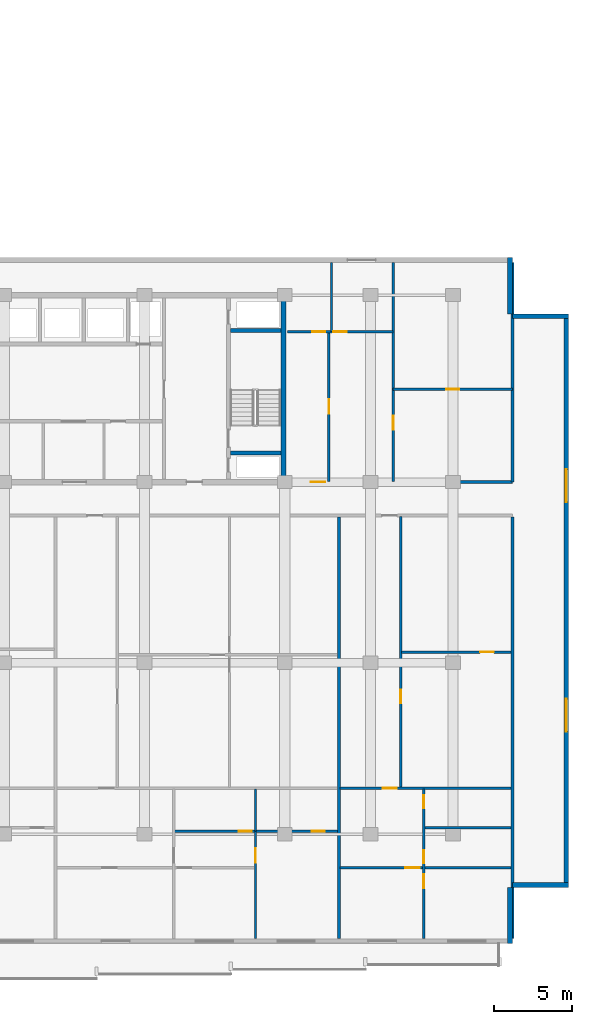
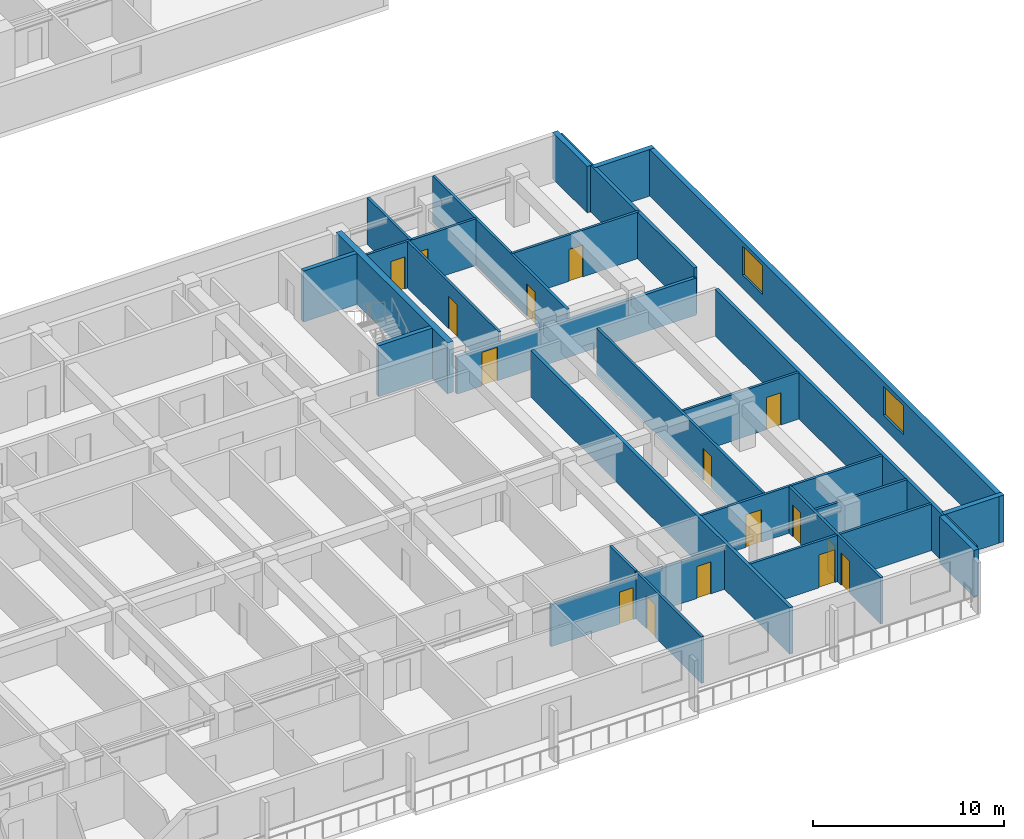
# One storey, part 9 of 24: 26 walls, 16 doors, 2 windows, 18 openings.
"""IFC4 building model written with IfcOpenShell, lengths in metres."""

from ifc_helpers import new_model, si_unit, direction, frame, frame_2d, origin, place, context, subcontext, project, spatial, rectangle, extrude, material, layer, layer_set, type_object, element, fill, save


model = new_model("IFC4")

# Units and contexts
model_context = context("Model", 3, precision=1e-05, world=origin(), true_north=direction((0.0, 1.0)))
body_context = subcontext(model_context, "Body", "Model", "MODEL_VIEW")
ifc_project = project(units=[si_unit("LENGTHUNIT", "METRE"), si_unit("AREAUNIT", "SQUARE_METRE"), si_unit("VOLUMEUNIT", "CUBIC_METRE"), si_unit("PLANEANGLEUNIT", "RADIAN"), si_unit("MASSUNIT", "GRAM", prefix="KILO")], contexts=[model_context])

# Site, building, storey
site_placement = place(None, origin())
site = spatial("IfcSite", under=ifc_project, at=site_placement, CompositionType="ELEMENT")
building_placement = place(site_placement, origin())
building = spatial("IfcBuilding", under=site, at=building_placement, Name="Korimba Cascade Residences", CompositionType="ELEMENT")
storey_placement = place(building_placement, frame((0.0, 0.0, 43.5)))
storey = spatial("IfcBuildingStorey", under=building, at=storey_placement, Name="L11", CompositionType="ELEMENT", Elevation=43.5)

# Walls
ifc_material_1 = material(Name="Precast concrete C40/50", Category="concrete")
ifc_layer_1 = layer(ifc_material_1, 0.300048828125)
ifc_layer_set_1 = layer_set([ifc_layer_1], Name="Precast concrete C40/50")
wall_type_1 = type_object("IfcWallType", Name="EW-STONE-300", PredefinedType="STANDARD", material=ifc_layer_set_1)
wall_1_placement = place(storey_placement, frame((132.550048828125, -11.199951171875, 0.0), z_axis=(0.0, 0.0, 1.0), x_axis=(0.0, 1.0, 0.0)))
element("IfcWall", 1, at=wall_1_placement, inside=storey, type_object=wall_type_1, Name="L11 T2 Perimeter Stone Wall E01", PredefinedType="STANDARD", context=body_context, shape_type="SweptSolid", body=[
    extrude(rectangle(XDim=3.599853515625, YDim=0.300048828125, at=frame_2d((1.7998046875, 0.0))), origin(), (0.0, 0.0, 1.0), 2.969970703125),
])
wall_2_placement = place(storey_placement, frame((132.699951171875, -7.449951171875, 0.0), z_axis=(0.0, 0.0, 1.0), x_axis=(1.0, 0.0, 0.0)))
element("IfcWall", 2, at=wall_2_placement, inside=storey, type_object=wall_type_1, Name="L11 T2 Perimeter Stone Wall E02", PredefinedType="STANDARD", context=body_context, shape_type="SweptSolid", body=[
    extrude(rectangle(XDim=3.60009765625, YDim=0.300048828125, at=frame_2d((1.800048828125, 0.0))), origin(), (0.0, 0.0, 1.0), 2.969970703125),
])

# Wall, openings, windows
wall_3_placement = place(storey_placement, frame((136.14990234375, -7.60009765625, 0.0), z_axis=(0.0, 0.0, 1.0), x_axis=(0.0, 1.0, 0.0)))
wall_3 = element("IfcWall", 3, at=wall_3_placement, inside=storey, type_object=wall_type_1, Name="L11 T2 Perimeter Stone Wall E03", PredefinedType="STANDARD", context=body_context, shape_type="SweptSolid", body=[
    extrude(rectangle(XDim=36.800048828125, YDim=0.300048828125, at=frame_2d((18.39990234375, 0.0))), origin(), (0.0, 0.0, 1.0), 2.969970703125),
])
opening_1_placement = place(wall_3_placement, frame((9.989990234375, 0.0, 0.85009765625)))
opening_1 = element("IfcOpeningElement", 4, at=opening_1_placement, cuts=wall_3, Name="Opening W-03", PredefinedType="OPENING", context=body_context, shape_type="SweptSolid", body=[
    extrude(rectangle(XDim=2.10009765625, YDim=1.85009765625, at=frame_2d((1.050048828125, 0.925048828125))), frame((0.0, 0.16015625, 0.0), z_axis=(0.0, -1.0, 0.0), x_axis=(1.0, 0.0, 0.0)), (0.0, 0.0, 1.0), 0.320068359375),
])
opening_2_placement = place(wall_3_placement, frame((24.7099609375, 0.0, 0.85009765625)))
opening_2 = element("IfcOpeningElement", 5, at=opening_2_placement, cuts=wall_3, Name="Opening W-03", PredefinedType="OPENING", context=body_context, shape_type="SweptSolid", body=[
    extrude(rectangle(XDim=2.10009765625, YDim=1.85009765625, at=frame_2d((1.050048828125, 0.925048828125))), frame((0.0, 0.16015625, 0.0), z_axis=(0.0, -1.0, 0.0), x_axis=(1.0, 0.0, 0.0)), (0.0, 0.0, 1.0), 0.320068359375),
])
ifc_material_2 = material(Name="Double-Glazed Aluminium Window", Category="aluminium")
window_type = type_object("IfcWindowType", Name="WIN-CRN-2100", PartitioningType="DOUBLE_PANEL_HORIZONTAL", PredefinedType="WINDOW", material=ifc_material_2)
window_1_placement = place(opening_1_placement, origin())
window_1 = element("IfcWindow", 6, at=window_1_placement, inside=storey, type_object=window_type, Name="L11 T2 End View Window 3.1", OverallHeight=1.85009765625, OverallWidth=2.10009765625, PartitioningType="DOUBLE_PANEL_HORIZONTAL", PredefinedType="WINDOW", context=body_context, shape_type="SweptSolid", body=[
    extrude(rectangle(XDim=2.10009765625, YDim=1.85009765625, at=frame_2d((1.050048828125, 0.925048828125))), frame((0.0, 0.030029296875, 0.0), z_axis=(0.0, -1.0, 0.0), x_axis=(1.0, 0.0, 0.0)), (0.0, 0.0, 1.0), 0.06005859375),
])
fill(opening_1, window_1)
window_2_placement = place(opening_2_placement, origin())
window_2 = element("IfcWindow", 7, at=window_2_placement, inside=storey, type_object=window_type, Name="L11 T2 End View Window 3.2", OverallHeight=1.85009765625, OverallWidth=2.10009765625, PartitioningType="DOUBLE_PANEL_HORIZONTAL", PredefinedType="WINDOW", context=body_context, shape_type="SweptSolid", body=[
    extrude(rectangle(XDim=2.10009765625, YDim=1.85009765625, at=frame_2d((1.050048828125, 0.925048828125))), frame((0.0, 0.030029296875, 0.0), z_axis=(0.0, -1.0, 0.0), x_axis=(1.0, 0.0, 0.0)), (0.0, 0.0, 1.0), 0.06005859375),
])
fill(opening_2, window_2)

# Walls
for number, where, z_axis, x_axis, name in (
    (8, (136.300048828125, 29.050048828125, 0.0), (0.0, 0.0, 1.0), (-1.0, 0.0, 0.0), "L11 T2 Perimeter Stone Wall E04"),
    (9, (132.550048828125, 29.199951171875, 0.0), (0.0, 0.0, 1.0), (0.0, 1.0, 0.0), "L11 T2 Perimeter Stone Wall E05"),
):
    element("IfcWall", number, at=place(storey_placement, frame(where, z_axis=z_axis, x_axis=x_axis)), inside=storey, type_object=wall_type_1, Name=name, PredefinedType="STANDARD", context=body_context, shape_type="SweptSolid", body=[
        extrude(rectangle(XDim=3.60009765625, YDim=0.300048828125, at=frame_2d((1.800048828125, 0.0))), origin(), (0.0, 0.0, 1.0), 2.969970703125),
    ])
ifc_material_3 = material(Name="Concrete C65/80", Category="concrete")
ifc_layer_2 = layer(ifc_material_3, 0.35009765625)
ifc_layer_set_2 = layer_set([ifc_layer_2], Name="Concrete C65/80")
wall_type_2 = type_object("IfcWallType", Name="WAL-CORE-350", PredefinedType="SHEAR", material=ifc_layer_set_2)
wall_4_placement = place(storey_placement, frame((118.014892578125, 18.574951171875, 0.0), z_axis=(0.0, 0.0, 1.0), x_axis=(0.0, 1.0, 0.0)))
element("IfcWall", 10, at=wall_4_placement, inside=storey, type_object=wall_type_2, Name="L11 Core Shear Wall CW-L11-T2-E", PredefinedType="SHEAR", context=body_context, shape_type="SweptSolid", body=[
    extrude(rectangle(XDim=11.650146484375, YDim=0.35009765625, at=frame_2d((5.8251953125, 0.0))), origin(), (0.0, 0.0, 1.0), 3.25),
])
ifc_layer_3 = layer(ifc_material_1, 0.199951171875)
ifc_layer_set_3 = layer_set([ifc_layer_3], Name="Precast concrete C40/50")
wall_type_3 = type_object("IfcWallType", Name="WAL-IT-200", PredefinedType="PARTITIONING", material=ifc_layer_set_3)
wall_5_placement = place(storey_placement, frame((132.699951171875, 18.39990234375, 0.0), z_axis=(0.0, 0.0, 1.0), x_axis=(0.0, 1.0, 0.0)))
element("IfcWall", 11, at=wall_5_placement, inside=storey, type_object=wall_type_3, Name="L11 Partition Wall WAL-L11-T2-FE-WR", PredefinedType="PARTITIONING", context=body_context, shape_type="SweptSolid", body=[
    extrude(rectangle(XDim=14.10009765625, YDim=0.199951171875, at=frame_2d((7.050048828125, 0.0))), origin(), (0.0, 0.0, 1.0), 2.969970703125),
])

# Wall, opening, door
wall_6_placement = place(storey_placement, frame((118.25, 18.39990234375, 0.0), z_axis=(0.0, 0.0, 1.0), x_axis=(1.0, 0.0, 0.0)))
wall_6 = element("IfcWall", 12, at=wall_6_placement, inside=storey, type_object=wall_type_3, Name="L11 Partition Wall WAL-L11-T2-FE-S", PredefinedType="PARTITIONING", context=body_context, shape_type="SweptSolid", body=[
    extrude(rectangle(XDim=14.449951171875, YDim=0.199951171875, at=frame_2d((7.22509765625, 0.0))), origin(), (0.0, 0.0, 1.0), 2.3701171875),
])
opening_3_placement = place(wall_6_placement, frame((1.510009765625, 0.0, 0.0)))
opening_3 = element("IfcOpeningElement", 13, at=opening_3_placement, cuts=wall_6, Name="Opening D-UN1", PredefinedType="OPENING", context=body_context, shape_type="SweptSolid", body=[
    extrude(rectangle(XDim=0.949951171875, YDim=2.14990234375, at=frame_2d((0.47509765625, 1.074951171875))), frame((0.0, 0.10986328125, 0.0), z_axis=(0.0, -1.0, 0.0), x_axis=(1.0, 0.0, 0.0)), (0.0, 0.0, 1.0), 0.219970703125),
])
ifc_material_4 = material(Name="Fire-Rated Hardwood Apartment Entrance Door", Category="wood")
door_type_1 = type_object("IfcDoorType", Name="DR-FD60-950", OperationType="NOTDEFINED", PredefinedType="DOOR", material=ifc_material_4)
door_1_placement = place(opening_3_placement, origin())
door_1 = element("IfcDoor", 14, at=door_1_placement, inside=storey, type_object=door_type_1, Name="L11-T2-FE Entrance Door", OperationType="SINGLE_SWING_LEFT", OverallHeight=2.14990234375, OverallWidth=0.949951171875, PredefinedType="DOOR", context=body_context, shape_type="SweptSolid", body=[
    extrude(rectangle(XDim=0.949951171875, YDim=2.14990234375, at=frame_2d((0.47509765625, 1.074951171875))), frame((0.0, 0.02490234375, 0.0), z_axis=(0.0, -1.0, 0.0), x_axis=(1.0, 0.0, 0.0)), (0.0, 0.0, 1.0), 0.050048828125),
])
fill(opening_3, door_1)

# Walls
for number, where, z_axis, x_axis, name in (
    (15, (132.699951171875, -10.89990234375, 0.0), (0.0, 0.0, 1.0), (0.0, 1.0, 0.0), "L11 Partition Wall WAL-L11-T2-BNDWR"),
    (16, (121.570068359375, -10.89990234375, 0.0), (0.0, 0.0, 1.0), (0.0, 1.0, 0.0), "L11 Partition Wall WAL-L11-T2-DEM-3"),
):
    element("IfcWall", number, at=place(storey_placement, frame(where, z_axis=z_axis, x_axis=x_axis)), inside=storey, type_object=wall_type_3, Name=name, PredefinedType="PARTITIONING", context=body_context, shape_type="SweptSolid", body=[
        extrude(rectangle(XDim=27.06982421875, YDim=0.199951171875, at=frame_2d((13.534912109375, 0.0))), origin(), (0.0, 0.0, 1.0), 2.969970703125),
    ])

# Wall, opening, door
ifc_material_5 = material(Name="Insulated Acoustic Stud Partition", Category="gypsum")
ifc_layer_4 = layer(ifc_material_5, 0.14990234375)
ifc_layer_set_4 = layer_set([ifc_layer_4], Name="Insulated Acoustic Stud Partition")
wall_type_4 = type_object("IfcWallType", Name="WAL-PART-150", PredefinedType="PARTITIONING", material=ifc_layer_set_4)
wall_7_placement = place(storey_placement, frame((125.050048828125, 24.35009765625, 0.0), z_axis=(0.0, 0.0, 1.0), x_axis=(1.0, 0.0, 0.0)))
wall_7 = element("IfcWall", 17, at=wall_7_placement, inside=storey, type_object=wall_type_4, Name="L11 Partition Wall WAL-L11-T2-FE-STH", PredefinedType="PARTITIONING", context=body_context, shape_type="SweptSolid", body=[
    extrude(rectangle(XDim=7.64990234375, YDim=0.14990234375, at=frame_2d((3.824951171875, 0.0))), origin(), (0.0, 0.0, 1.0), 2.969970703125),
])
opening_4_placement = place(wall_7_placement, frame((3.405029296875, 0.0, 0.0)))
opening_4 = element("IfcOpeningElement", 18, at=opening_4_placement, cuts=wall_7, Name="Opening D-BT1", PredefinedType="OPENING", context=body_context, shape_type="SweptSolid", body=[
    extrude(rectangle(XDim=0.840087890625, YDim=2.0400390625, at=frame_2d((0.419921875, 1.02001953125))), frame((0.0, 0.0849609375, 0.0), z_axis=(0.0, -1.0, 0.0), x_axis=(1.0, 0.0, 0.0)), (0.0, 0.0, 1.0), 0.169921875),
])
ifc_material_6 = material(Name="Moisture-Resistant Bathroom Timber Door", Category="wood")
door_type_2 = type_object("IfcDoorType", Name="DR-INT-850", OperationType="NOTDEFINED", PredefinedType="DOOR", material=ifc_material_6)
door_2_placement = place(opening_4_placement, origin())
door_2 = element("IfcDoor", 19, at=door_2_placement, inside=storey, type_object=door_type_2, Name="L11-T2-FE Dressing Store Door", OperationType="SINGLE_SWING_RIGHT", OverallHeight=2.0400390625, OverallWidth=0.840087890625, PredefinedType="DOOR", context=body_context, shape_type="SweptSolid", body=[
    extrude(rectangle(XDim=0.840087890625, YDim=2.0400390625, at=frame_2d((0.419921875, 1.02001953125))), frame((0.0, 0.02490234375, 0.0), z_axis=(0.0, -1.0, 0.0), x_axis=(1.0, 0.0, 0.0)), (0.0, 0.0, 1.0), 0.050048828125),
])
fill(opening_4, door_2)

wall_8_placement = place(storey_placement, frame((125.050048828125, 18.449951171875, 0.0), z_axis=(0.0, 0.0, 1.0), x_axis=(0.0, 1.0, 0.0)))
wall_8 = element("IfcWall", 20, at=wall_8_placement, inside=storey, type_object=wall_type_4, Name="L11 Partition Wall WAL-L11-T2-FE-STV", PredefinedType="PARTITIONING", context=body_context, shape_type="SweptSolid", body=[
    extrude(rectangle(XDim=14.050048828125, YDim=0.14990234375, at=frame_2d((7.02490234375, 0.0))), origin(), (0.0, 0.0, 1.0), 2.969970703125),
])
opening_5_placement = place(wall_8_placement, frame((3.320068359375, 0.0, 0.0)))
opening_5 = element("IfcOpeningElement", 21, at=opening_5_placement, cuts=wall_8, Name="Opening D-IN2", PredefinedType="OPENING", context=body_context, shape_type="SweptSolid", body=[
    extrude(rectangle(XDim=0.8798828125, YDim=2.06005859375, at=frame_2d((0.43994140625, 1.030029296875))), frame((0.0, 0.0849609375, 0.0), z_axis=(0.0, -1.0, 0.0), x_axis=(1.0, 0.0, 0.0)), (0.0, 0.0, 1.0), 0.169921875),
])
ifc_material_7 = material(Name="Acoustic Timber Bedroom Door", Category="wood")
door_type_3 = type_object("IfcDoorType", Name="DR-INT-880", OperationType="NOTDEFINED", PredefinedType="DOOR", material=ifc_material_7)
door_3_placement = place(opening_5_placement, origin())
door_3 = element("IfcDoor", 22, at=door_3_placement, inside=storey, type_object=door_type_3, Name="L11-T2-FE Study Door", OperationType="SINGLE_SWING_LEFT", OverallHeight=2.06005859375, OverallWidth=0.8798828125, PredefinedType="DOOR", context=body_context, shape_type="SweptSolid", body=[
    extrude(rectangle(XDim=0.8798828125, YDim=2.06005859375, at=frame_2d((0.43994140625, 1.030029296875))), frame((0.0, 0.02490234375, 0.0), z_axis=(0.0, -1.0, 0.0), x_axis=(1.0, 0.0, 0.0)), (0.0, 0.0, 1.0), 0.050048828125),
])
fill(opening_5, door_3)

wall_9_placement = place(storey_placement, frame((120.929931640625, 18.449951171875, 0.0), z_axis=(0.0, 0.0, 1.0), x_axis=(0.0, 1.0, 0.0)))
wall_9 = element("IfcWall", 23, at=wall_9_placement, inside=storey, type_object=wall_type_4, Name="L11 Partition Wall WAL-L11-T2-FE-VS", PredefinedType="PARTITIONING", context=body_context, shape_type="SweptSolid", body=[
    extrude(rectangle(XDim=9.60009765625, YDim=0.14990234375, at=frame_2d((4.800048828125, 0.0))), origin(), (0.0, 0.0, 1.0), 2.969970703125),
])
opening_6_placement = place(wall_9_placement, frame((4.340087890625, 0.0, 0.0)))
opening_6 = element("IfcOpeningElement", 24, at=opening_6_placement, cuts=wall_9, Name="Opening D-IN1", PredefinedType="OPENING", context=body_context, shape_type="SweptSolid", body=[
    extrude(rectangle(XDim=0.919921875, YDim=2.080078125, at=frame_2d((0.4599609375, 1.0400390625))), frame((0.0, 0.0849609375, 0.0), z_axis=(0.0, -1.0, 0.0), x_axis=(1.0, 0.0, 0.0)), (0.0, 0.0, 1.0), 0.169921875),
])
ifc_material_8 = material(Name="Acoustic Timber Living Door", Category="wood")
door_type_4 = type_object("IfcDoorType", Name="DR-INT-920", OperationType="NOTDEFINED", PredefinedType="DOOR", material=ifc_material_8)
door_4_placement = place(opening_6_placement, origin())
door_4 = element("IfcDoor", 25, at=door_4_placement, inside=storey, type_object=door_type_4, Name="L11-T2-FE Living Door", OperationType="SINGLE_SWING_RIGHT", OverallHeight=2.080078125, OverallWidth=0.919921875, PredefinedType="DOOR", context=body_context, shape_type="SweptSolid", body=[
    extrude(rectangle(XDim=0.919921875, YDim=2.080078125, at=frame_2d((0.4599609375, 1.0400390625))), frame((0.0, 0.02490234375, 0.0), z_axis=(0.0, -1.0, 0.0), x_axis=(1.0, 0.0, 0.0)), (0.0, 0.0, 1.0), 0.050048828125),
])
fill(opening_6, door_4)

# Wall
wall_10_placement = place(storey_placement, frame((121.10009765625, 28.050048828125, 0.0), z_axis=(0.0, 0.0, 1.0), x_axis=(0.0, 1.0, 0.0)))
element("IfcWall", 26, at=wall_10_placement, inside=storey, type_object=wall_type_4, Name="L11 Partition Wall WAL-L11-T2-FE-VN", PredefinedType="PARTITIONING", context=body_context, shape_type="SweptSolid", body=[
    extrude(rectangle(XDim=4.449951171875, YDim=0.14990234375, at=frame_2d((2.22509765625, 0.0))), origin(), (0.0, 0.0, 1.0), 2.969970703125),
])

# Wall, openings, doors
wall_11_placement = place(storey_placement, frame((118.27001953125, 28.050048828125, 0.0), z_axis=(0.0, 0.0, 1.0), x_axis=(1.0, 0.0, 0.0)))
wall_11 = element("IfcWall", 27, at=wall_11_placement, inside=storey, type_object=wall_type_4, Name="L11 Partition Wall WAL-L11-T2-FE-H", PredefinedType="PARTITIONING", context=body_context, shape_type="SweptSolid", body=[
    extrude(rectangle(XDim=6.760009765625, YDim=0.14990234375, at=frame_2d((3.3798828125, 0.0))), origin(), (0.0, 0.0, 1.0), 2.969970703125),
])
opening_7_placement = place(wall_11_placement, frame((1.58740234375, 0.0, 0.0)))
opening_7 = element("IfcOpeningElement", 28, at=opening_7_placement, cuts=wall_11, Name="Opening D-BT1", PredefinedType="OPENING", context=body_context, shape_type="SweptSolid", body=[
    extrude(rectangle(XDim=0.840087890625, YDim=2.0400390625, at=frame_2d((0.419921875, 1.02001953125))), frame((0.0, 0.0849609375, 0.0), z_axis=(0.0, -1.0, 0.0), x_axis=(1.0, 0.0, 0.0)), (0.0, 0.0, 1.0), 0.169921875),
])
opening_8_placement = place(wall_11_placement, frame((2.93408203125, 0.0, 0.0)))
opening_8 = element("IfcOpeningElement", 29, at=opening_8_placement, cuts=wall_11, Name="Opening D-IN2", PredefinedType="OPENING", context=body_context, shape_type="SweptSolid", body=[
    extrude(rectangle(XDim=0.8798828125, YDim=2.06005859375, at=frame_2d((0.43994140625, 1.030029296875))), frame((0.0, 0.0849609375, 0.0), z_axis=(0.0, -1.0, 0.0), x_axis=(1.0, 0.0, 0.0)), (0.0, 0.0, 1.0), 0.169921875),
])
door_5_placement = place(opening_7_placement, origin())
door_5 = element("IfcDoor", 30, at=door_5_placement, inside=storey, type_object=door_type_2, Name="L11-T2-FE Bathroom Door", OperationType="SINGLE_SWING_LEFT", OverallHeight=2.0400390625, OverallWidth=0.840087890625, PredefinedType="DOOR", context=body_context, shape_type="SweptSolid", body=[
    extrude(rectangle(XDim=0.840087890625, YDim=2.0400390625, at=frame_2d((0.419921875, 1.02001953125))), frame((0.0, 0.02490234375, 0.0), z_axis=(0.0, -1.0, 0.0), x_axis=(1.0, 0.0, 0.0)), (0.0, 0.0, 1.0), 0.050048828125),
])
fill(opening_7, door_5)
door_6_placement = place(opening_8_placement, origin())
door_6 = element("IfcDoor", 31, at=door_6_placement, inside=storey, type_object=door_type_3, Name="L11-T2-FE Bedroom Door", OperationType="SINGLE_SWING_RIGHT", OverallHeight=2.06005859375, OverallWidth=0.8798828125, PredefinedType="DOOR", context=body_context, shape_type="SweptSolid", body=[
    extrude(rectangle(XDim=0.8798828125, YDim=2.06005859375, at=frame_2d((0.43994140625, 1.030029296875))), frame((0.0, 0.02490234375, 0.0), z_axis=(0.0, -1.0, 0.0), x_axis=(1.0, 0.0, 0.0)), (0.0, 0.0, 1.0), 0.050048828125),
])
fill(opening_8, door_6)

# Wall
wall_12_placement = place(storey_placement, frame((116.219970703125, -3.97998046875, 0.0), z_axis=(0.0, 0.0, 1.0), x_axis=(0.0, 1.0, 0.0)))
element("IfcWall", 32, at=wall_12_placement, inside=storey, type_object=wall_type_4, Name="L11 Partition Wall WAL-L11-T2-U03-VBATH", PredefinedType="PARTITIONING", context=body_context, shape_type="SweptSolid", body=[
    extrude(rectangle(XDim=2.68994140625, YDim=0.14990234375, at=frame_2d((1.344970703125, 0.0))), origin(), (0.0, 0.0, 1.0), 2.969970703125),
])

# Wall, opening, door
wall_13_placement = place(storey_placement, frame((116.219970703125, -10.89990234375, 0.0), z_axis=(0.0, 0.0, 1.0), x_axis=(0.0, 1.0, 0.0)))
wall_13 = element("IfcWall", 33, at=wall_13_placement, inside=storey, type_object=wall_type_4, Name="L11 Partition Wall WAL-L11-T2-U03-V2FULL", PredefinedType="PARTITIONING", context=body_context, shape_type="SweptSolid", body=[
    extrude(rectangle(XDim=6.8798828125, YDim=0.14990234375, at=frame_2d((3.43994140625, 0.0))), origin(), (0.0, 0.0, 1.0), 2.969970703125),
])
opening_9_placement = place(wall_13_placement, frame((4.8701171875, 0.0, 0.0)))
opening_9 = element("IfcOpeningElement", 34, at=opening_9_placement, cuts=wall_13, Name="Opening D-IN1", PredefinedType="OPENING", context=body_context, shape_type="SweptSolid", body=[
    extrude(rectangle(XDim=0.919921875, YDim=2.080078125, at=frame_2d((0.4599609375, 1.0400390625))), frame((0.0, 0.0849609375, 0.0), z_axis=(0.0, -1.0, 0.0), x_axis=(1.0, 0.0, 0.0)), (0.0, 0.0, 1.0), 0.169921875),
])
door_7_placement = place(opening_9_placement, origin())
door_7 = element("IfcDoor", 35, at=door_7_placement, inside=storey, type_object=door_type_4, Name="L11-T2-U03 Master Bedroom Door", OperationType="SINGLE_SWING_LEFT", OverallHeight=2.080078125, OverallWidth=0.919921875, PredefinedType="DOOR", context=body_context, shape_type="SweptSolid", body=[
    extrude(rectangle(XDim=0.919921875, YDim=2.080078125, at=frame_2d((0.4599609375, 1.0400390625))), frame((0.0, 0.02490234375, 0.0), z_axis=(0.0, -1.0, 0.0), x_axis=(1.0, 0.0, 0.0)), (0.0, 0.0, 1.0), 0.050048828125),
])
fill(opening_9, door_7)

# Wall, openings, doors
wall_14_placement = place(storey_placement, frame((111.02001953125, -4.0, 0.0), z_axis=(0.0, 0.0, 1.0), x_axis=(1.0, 0.0, 0.0)))
wall_14 = element("IfcWall", 36, at=wall_14_placement, inside=storey, type_object=wall_type_4, Name="L11 Partition Wall WAL-L11-T2-U03-HWALL", PredefinedType="PARTITIONING", context=body_context, shape_type="SweptSolid", body=[
    extrude(rectangle(XDim=10.469970703125, YDim=0.14990234375, at=frame_2d((5.23486328125, 0.0))), origin(), (0.0, 0.0, 1.0), 2.663330078125),
])
opening_10_placement = place(wall_14_placement, frame((4.110107421875, 0.0, 0.0)))
opening_10 = element("IfcOpeningElement", 37, at=opening_10_placement, cuts=wall_14, Name="Opening D-BT1", PredefinedType="OPENING", context=body_context, shape_type="SweptSolid", body=[
    extrude(rectangle(XDim=0.840087890625, YDim=2.0400390625, at=frame_2d((0.419921875, 1.02001953125))), frame((0.0, 0.0849609375, 0.0), z_axis=(0.0, -1.0, 0.0), x_axis=(1.0, 0.0, 0.0)), (0.0, 0.0, 1.0), 0.169921875),
])
opening_11_placement = place(wall_14_placement, frame((8.79541015625, 0.0, 0.0)))
opening_11 = element("IfcOpeningElement", 38, at=opening_11_placement, cuts=wall_14, Name="Opening D-BT1", PredefinedType="OPENING", context=body_context, shape_type="SweptSolid", body=[
    extrude(rectangle(XDim=0.840087890625, YDim=2.0400390625, at=frame_2d((0.419921875, 1.02001953125))), frame((0.0, 0.0849609375, 0.0), z_axis=(0.0, -1.0, 0.0), x_axis=(1.0, 0.0, 0.0)), (0.0, 0.0, 1.0), 0.169921875),
])
door_8_placement = place(opening_10_placement, origin())
door_8 = element("IfcDoor", 39, at=door_8_placement, inside=storey, type_object=door_type_2, Name="L11-T2-U03 Family Bathroom Door", OperationType="SINGLE_SWING_RIGHT", OverallHeight=2.0400390625, OverallWidth=0.840087890625, PredefinedType="DOOR", context=body_context, shape_type="SweptSolid", body=[
    extrude(rectangle(XDim=0.840087890625, YDim=2.0400390625, at=frame_2d((0.419921875, 1.02001953125))), frame((0.0, 0.02490234375, 0.0), z_axis=(0.0, -1.0, 0.0), x_axis=(1.0, 0.0, 0.0)), (0.0, 0.0, 1.0), 0.050048828125),
])
fill(opening_10, door_8)
door_9_placement = place(opening_11_placement, origin())
door_9 = element("IfcDoor", 40, at=door_9_placement, inside=storey, type_object=door_type_2, Name="L11-T2-U03 En-Suite Door", OperationType="SINGLE_SWING_LEFT", OverallHeight=2.0400390625, OverallWidth=0.840087890625, PredefinedType="DOOR", context=body_context, shape_type="SweptSolid", body=[
    extrude(rectangle(XDim=0.840087890625, YDim=2.0400390625, at=frame_2d((0.419921875, 1.02001953125))), frame((0.0, 0.02490234375, 0.0), z_axis=(0.0, -1.0, 0.0), x_axis=(1.0, 0.0, 0.0)), (0.0, 0.0, 1.0), 0.050048828125),
])
fill(opening_11, door_9)

# Wall, opening, door
wall_15_placement = place(storey_placement, frame((125.60009765625, 7.489990234375, 0.0), z_axis=(0.0, 0.0, 1.0), x_axis=(1.0, 0.0, 0.0)))
wall_15 = element("IfcWall", 41, at=wall_15_placement, inside=storey, type_object=wall_type_4, Name="L11 Partition Wall WAL-L11-T2-U04-FMH", PredefinedType="PARTITIONING", context=body_context, shape_type="SweptSolid", body=[
    extrude(rectangle(XDim=7.02001953125, YDim=0.14990234375, at=frame_2d((3.510009765625, 0.0))), origin(), (0.0, 0.0, 1.0), 2.969970703125),
])
opening_12_placement = place(wall_15_placement, frame((5.0283203125, 0.0, 0.0)))
opening_12 = element("IfcOpeningElement", 42, at=opening_12_placement, cuts=wall_15, Name="Opening D-IN2", PredefinedType="OPENING", context=body_context, shape_type="SweptSolid", body=[
    extrude(rectangle(XDim=0.8798828125, YDim=2.06005859375, at=frame_2d((0.43994140625, 1.030029296875))), frame((0.0, 0.0849609375, 0.0), z_axis=(0.0, -1.0, 0.0), x_axis=(1.0, 0.0, 0.0)), (0.0, 0.0, 1.0), 0.169921875),
])
door_10_placement = place(opening_12_placement, origin())
door_10 = element("IfcDoor", 43, at=door_10_placement, inside=storey, type_object=door_type_3, Name="L11-T2-U04 Library Salon Door", OperationType="SINGLE_SWING_LEFT", OverallHeight=2.06005859375, OverallWidth=0.8798828125, PredefinedType="DOOR", context=body_context, shape_type="SweptSolid", body=[
    extrude(rectangle(XDim=0.8798828125, YDim=2.06005859375, at=frame_2d((0.43994140625, 1.030029296875))), frame((0.0, 0.02490234375, 0.0), z_axis=(0.0, -1.0, 0.0), x_axis=(1.0, 0.0, 0.0)), (0.0, 0.0, 1.0), 0.050048828125),
])
fill(opening_12, door_10)

wall_16_placement = place(storey_placement, frame((125.5400390625, -1.2099609375, 0.0), z_axis=(0.0, 0.0, 1.0), x_axis=(0.0, 1.0, 0.0)))
wall_16 = element("IfcWall", 44, at=wall_16_placement, inside=storey, type_object=wall_type_4, Name="L11 Partition Wall WAL-L11-T2-U04-FV", PredefinedType="PARTITIONING", context=body_context, shape_type="SweptSolid", body=[
    extrude(rectangle(XDim=17.39990234375, YDim=0.14990234375, at=frame_2d((8.699951171875, 0.0))), origin(), (0.0, 0.0, 1.0), 2.969970703125),
])
opening_13_placement = place(wall_16_placement, frame((5.404052734375, 0.0, 0.0)))
opening_13 = element("IfcOpeningElement", 45, at=opening_13_placement, cuts=wall_16, Name="Opening D-IN2", PredefinedType="OPENING", context=body_context, shape_type="SweptSolid", body=[
    extrude(rectangle(XDim=0.8798828125, YDim=2.06005859375, at=frame_2d((0.43994140625, 1.030029296875))), frame((0.0, 0.0849609375, 0.0), z_axis=(0.0, -1.0, 0.0), x_axis=(1.0, 0.0, 0.0)), (0.0, 0.0, 1.0), 0.169921875),
])
door_11_placement = place(opening_13_placement, origin())
door_11 = element("IfcDoor", 46, at=door_11_placement, inside=storey, type_object=door_type_3, Name="L11-T2-U04 Media Lounge Door", OperationType="SINGLE_SWING_RIGHT", OverallHeight=2.06005859375, OverallWidth=0.8798828125, PredefinedType="DOOR", context=body_context, shape_type="SweptSolid", body=[
    extrude(rectangle(XDim=0.8798828125, YDim=2.06005859375, at=frame_2d((0.43994140625, 1.030029296875))), frame((0.0, 0.02490234375, 0.0), z_axis=(0.0, -1.0, 0.0), x_axis=(1.0, 0.0, 0.0)), (0.0, 0.0, 1.0), 0.050048828125),
])
fill(opening_13, door_11)

# Wall
wall_17_placement = place(storey_placement, frame((127.080078125, -3.7900390625, 0.0), z_axis=(0.0, 0.0, 1.0), x_axis=(1.0, 0.0, 0.0)))
element("IfcWall", 47, at=wall_17_placement, inside=storey, type_object=wall_type_4, Name="L11 Partition Wall WAL-L11-T2-U04-BLDIV", PredefinedType="PARTITIONING", context=body_context, shape_type="SweptSolid", body=[
    extrude(rectangle(XDim=5.5400390625, YDim=0.14990234375, at=frame_2d((2.77001953125, 0.0))), origin(), (0.0, 0.0, 1.0), 2.969970703125),
])

# Wall, openings, doors
wall_18_placement = place(storey_placement, frame((127.02001953125, -10.89990234375, 0.0), z_axis=(0.0, 0.0, 1.0), x_axis=(0.0, 1.0, 0.0)))
wall_18 = element("IfcWall", 48, at=wall_18_placement, inside=storey, type_object=wall_type_4, Name="L11 Partition Wall WAL-L11-T2-U04-V1", PredefinedType="PARTITIONING", context=body_context, shape_type="SweptSolid", body=[
    extrude(rectangle(XDim=9.60986328125, YDim=0.14990234375, at=frame_2d((4.804931640625, 0.0))), origin(), (0.0, 0.0, 1.0), 2.969970703125),
])
opening_14_placement = place(wall_18_placement, frame((4.85009765625, 0.0, 0.0)))
opening_14 = element("IfcOpeningElement", 49, at=opening_14_placement, cuts=wall_18, Name="Opening D-BT1", PredefinedType="OPENING", context=body_context, shape_type="SweptSolid", body=[
    extrude(rectangle(XDim=0.840087890625, YDim=2.0400390625, at=frame_2d((0.419921875, 1.02001953125))), frame((0.0, 0.0849609375, 0.0), z_axis=(0.0, -1.0, 0.0), x_axis=(1.0, 0.0, 0.0)), (0.0, 0.0, 1.0), 0.169921875),
])
opening_15_placement = place(wall_18_placement, frame((8.3564453125, 0.0, 0.0)))
opening_15 = element("IfcOpeningElement", 50, at=opening_15_placement, cuts=wall_18, Name="Opening D-BT1", PredefinedType="OPENING", context=body_context, shape_type="SweptSolid", body=[
    extrude(rectangle(XDim=0.840087890625, YDim=2.0400390625, at=frame_2d((0.419921875, 1.02001953125))), frame((0.0, 0.0849609375, 0.0), z_axis=(0.0, -1.0, 0.0), x_axis=(1.0, 0.0, 0.0)), (0.0, 0.0, 1.0), 0.169921875),
])
opening_16_placement = place(wall_18_placement, frame((3.25, 0.0, 0.0)))
opening_16 = element("IfcOpeningElement", 51, at=opening_16_placement, cuts=wall_18, Name="Opening D-IN2", PredefinedType="OPENING", context=body_context, shape_type="SweptSolid", body=[
    extrude(rectangle(XDim=0.8798828125, YDim=2.06005859375, at=frame_2d((0.43994140625, 1.030029296875))), frame((0.0, 0.0849609375, 0.0), z_axis=(0.0, -1.0, 0.0), x_axis=(1.0, 0.0, 0.0)), (0.0, 0.0, 1.0), 0.169921875),
])
door_12_placement = place(opening_14_placement, origin())
door_12 = element("IfcDoor", 52, at=door_12_placement, inside=storey, type_object=door_type_2, Name="L11-T2-U04 Bathroom Door", OperationType="SINGLE_SWING_LEFT", OverallHeight=2.0400390625, OverallWidth=0.840087890625, PredefinedType="DOOR", context=body_context, shape_type="SweptSolid", body=[
    extrude(rectangle(XDim=0.840087890625, YDim=2.0400390625, at=frame_2d((0.419921875, 1.02001953125))), frame((0.0, 0.02490234375, 0.0), z_axis=(0.0, -1.0, 0.0), x_axis=(1.0, 0.0, 0.0)), (0.0, 0.0, 1.0), 0.050048828125),
])
fill(opening_14, door_12)
door_13_placement = place(opening_15_placement, origin())
door_13 = element("IfcDoor", 53, at=door_13_placement, inside=storey, type_object=door_type_2, Name="L11-T2-U04 Laundry Door", OperationType="SINGLE_SWING_RIGHT", OverallHeight=2.0400390625, OverallWidth=0.840087890625, PredefinedType="DOOR", context=body_context, shape_type="SweptSolid", body=[
    extrude(rectangle(XDim=0.840087890625, YDim=2.0400390625, at=frame_2d((0.419921875, 1.02001953125))), frame((0.0, 0.02490234375, 0.0), z_axis=(0.0, -1.0, 0.0), x_axis=(1.0, 0.0, 0.0)), (0.0, 0.0, 1.0), 0.050048828125),
])
fill(opening_15, door_13)
door_14_placement = place(opening_16_placement, origin())
door_14 = element("IfcDoor", 54, at=door_14_placement, inside=storey, type_object=door_type_3, Name="L11-T2-U04 Bedroom 1 Door", OperationType="SINGLE_SWING_LEFT", OverallHeight=2.06005859375, OverallWidth=0.8798828125, PredefinedType="DOOR", context=body_context, shape_type="SweptSolid", body=[
    extrude(rectangle(XDim=0.8798828125, YDim=2.06005859375, at=frame_2d((0.43994140625, 1.030029296875))), frame((0.0, 0.02490234375, 0.0), z_axis=(0.0, -1.0, 0.0), x_axis=(1.0, 0.0, 0.0)), (0.0, 0.0, 1.0), 0.050048828125),
])
fill(opening_16, door_14)

# Wall, opening, door
wall_19_placement = place(storey_placement, frame((121.650146484375, -1.25, 0.0), z_axis=(0.0, 0.0, 1.0), x_axis=(1.0, 0.0, 0.0)))
wall_19 = element("IfcWall", 55, at=wall_19_placement, inside=storey, type_object=wall_type_4, Name="L11 Partition Wall WAL-L11-T2-U04-MW", PredefinedType="PARTITIONING", context=body_context, shape_type="SweptSolid", body=[
    extrude(rectangle(XDim=10.969970703125, YDim=0.14990234375, at=frame_2d((5.48486328125, 0.0))), origin(), (0.0, 0.0, 1.0), 2.969970703125),
])
opening_17_placement = place(wall_19_placement, frame((2.719970703125, 0.0, 0.0)))
opening_17 = element("IfcOpeningElement", 56, at=opening_17_placement, cuts=wall_19, Name="Opening D-IN1", PredefinedType="OPENING", context=body_context, shape_type="SweptSolid", body=[
    extrude(rectangle(XDim=0.919921875, YDim=2.080078125, at=frame_2d((0.4599609375, 1.0400390625))), frame((0.0, 0.0849609375, 0.0), z_axis=(0.0, -1.0, 0.0), x_axis=(1.0, 0.0, 0.0)), (0.0, 0.0, 1.0), 0.169921875),
])
door_15_placement = place(opening_17_placement, origin())
door_15 = element("IfcDoor", 57, at=door_15_placement, inside=storey, type_object=door_type_4, Name="L11-T2-U04 Kitchen Archway Door", OperationType="SINGLE_SWING_RIGHT", OverallHeight=2.080078125, OverallWidth=0.919921875, PredefinedType="DOOR", context=body_context, shape_type="SweptSolid", body=[
    extrude(rectangle(XDim=0.919921875, YDim=2.080078125, at=frame_2d((0.4599609375, 1.0400390625))), frame((0.0, 0.02490234375, 0.0), z_axis=(0.0, -1.0, 0.0), x_axis=(1.0, 0.0, 0.0)), (0.0, 0.0, 1.0), 0.050048828125),
])
fill(opening_17, door_15)

wall_20_placement = place(storey_placement, frame((121.650146484375, -6.35009765625, 0.0), z_axis=(0.0, 0.0, 1.0), x_axis=(1.0, 0.0, 0.0)))
wall_20 = element("IfcWall", 58, at=wall_20_placement, inside=storey, type_object=wall_type_4, Name="L11 Partition Wall WAL-L11-T2-U04-HZ", PredefinedType="PARTITIONING", context=body_context, shape_type="SweptSolid", body=[
    extrude(rectangle(XDim=10.969970703125, YDim=0.14990234375, at=frame_2d((5.48486328125, 0.0))), origin(), (0.0, 0.0, 1.0), 2.969970703125),
])
opening_18_placement = place(wall_20_placement, frame((4.179931640625, 0.0, 0.0)))
opening_18 = element("IfcOpeningElement", 59, at=opening_18_placement, cuts=wall_20, Name="Opening D-IN0", PredefinedType="OPENING", context=body_context, shape_type="SweptSolid", body=[
    extrude(rectangle(XDim=0.93994140625, YDim=2.10009765625, at=frame_2d((0.469970703125, 1.050048828125))), frame((0.0, 0.0849609375, 0.0), z_axis=(0.0, -1.0, 0.0), x_axis=(1.0, 0.0, 0.0)), (0.0, 0.0, 1.0), 0.169921875),
])
ifc_material_9 = material(Name="Acoustic Timber Living Archway Door", Category="wood")
door_type_5 = type_object("IfcDoorType", Name="DR-INT-950", OperationType="NOTDEFINED", PredefinedType="DOOR", material=ifc_material_9)
door_16_placement = place(opening_18_placement, origin())
door_16 = element("IfcDoor", 60, at=door_16_placement, inside=storey, type_object=door_type_5, Name="L11-T2-U04 Living Archway Door", OperationType="SINGLE_SWING_LEFT", OverallHeight=2.10009765625, OverallWidth=0.93994140625, PredefinedType="DOOR", context=body_context, shape_type="SweptSolid", body=[
    extrude(rectangle(XDim=0.93994140625, YDim=2.10009765625, at=frame_2d((0.469970703125, 1.050048828125))), frame((0.0, 0.02490234375, 0.0), z_axis=(0.0, -1.0, 0.0), x_axis=(1.0, 0.0, 0.0)), (0.0, 0.0, 1.0), 0.050048828125),
])
fill(opening_18, door_16)

# Walls
ifc_material_10 = material(Name="Concrete C50/60", Category="concrete")
ifc_layer_5 = layer(ifc_material_10, 0.25)
ifc_layer_set_5 = layer_set([ifc_layer_5], Name="Concrete C50/60")
wall_type_5 = type_object("IfcWallType", Name="WAL-SHAFT-250", PredefinedType="SHEAR", material=ifc_layer_set_5)
for number, where, z_axis, x_axis, name in (
    (61, (114.60009765625, 20.27490234375, 0.0), (0.0, 0.0, 1.0), (1.0, 0.0, 0.0), "L11 Core Shear Wall CW-L11-T2-STE2S"),
    (62, (114.60009765625, 28.125, 0.0), (0.0, 0.0, 1.0), (1.0, 0.0, 0.0), "L11 Core Shear Wall CW-L11-T2-STE2N"),
):
    element("IfcWall", number, at=place(storey_placement, frame(where, z_axis=z_axis, x_axis=x_axis)), inside=storey, type_object=wall_type_5, Name=name, PredefinedType="SHEAR", context=body_context, shape_type="SweptSolid", body=[
        extrude(rectangle(XDim=3.239990234375, YDim=0.25, at=frame_2d((1.6201171875, 0.0))), origin(), (0.0, 0.0, 1.0), 3.25),
    ])

save(model, "model.ifc")
